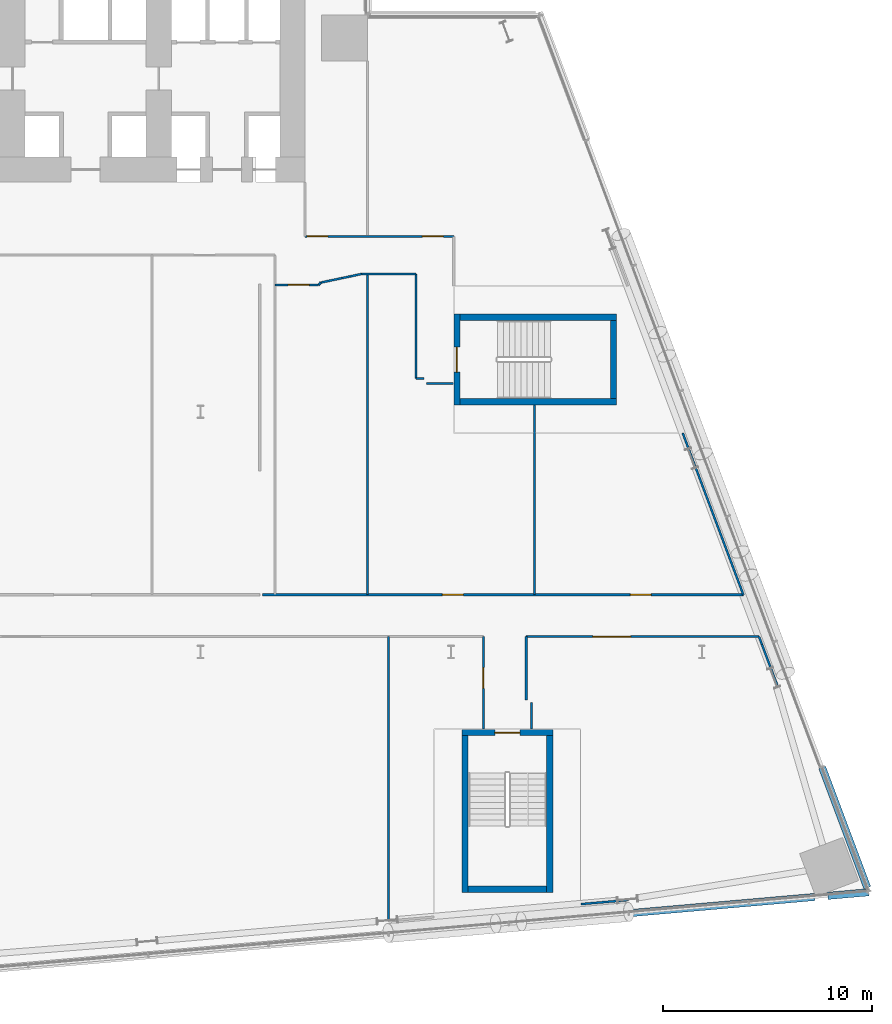
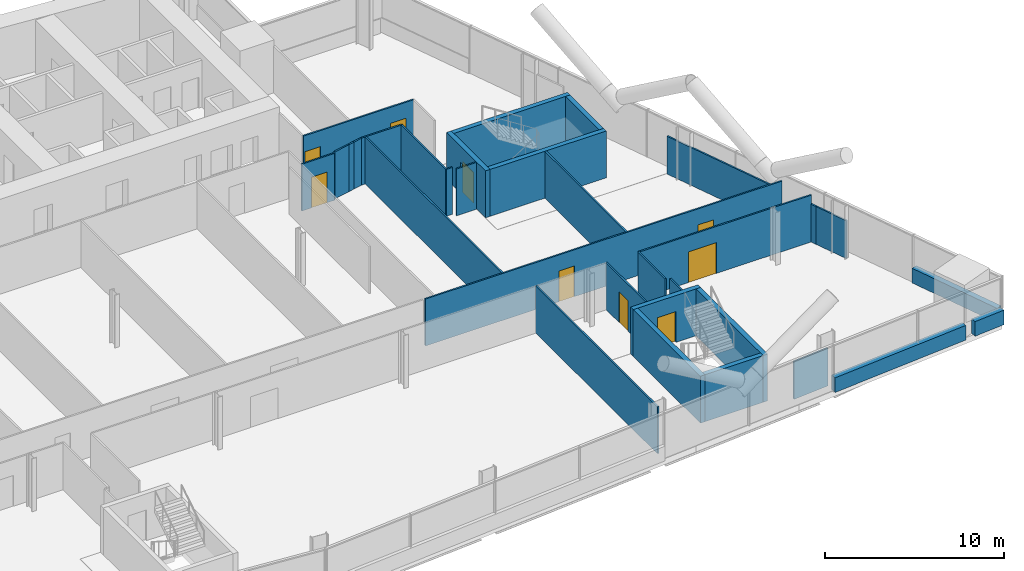
# One storey, part 19 of 27: 33 walls, 9 doors, 9 openings.
"""IFC4 building model written with IfcOpenShell, lengths in metres."""

from ifc_helpers import new_model, si_unit, direction, frame, frame_2d, origin, place, context, subcontext, project, spatial, rectangle, extrude, material, layer, layer_set, type_object, element, fill, save


model = new_model("IFC4")

# Units and contexts
model_context = context("Model", 3, precision=1e-05, world=origin(), true_north=direction((0.0, 1.0)))
body_context = subcontext(model_context, "Body", "Model", "MODEL_VIEW")
ifc_project = project(units=[si_unit("LENGTHUNIT", "METRE"), si_unit("AREAUNIT", "SQUARE_METRE"), si_unit("VOLUMEUNIT", "CUBIC_METRE"), si_unit("PLANEANGLEUNIT", "RADIAN"), si_unit("MASSUNIT", "GRAM", prefix="KILO")], contexts=[model_context])

# Site, building, storey
site_placement = place(None, origin())
site = spatial("IfcSite", under=ifc_project, at=site_placement, CompositionType="ELEMENT")
building_placement = place(site_placement, origin())
building = spatial("IfcBuilding", under=site, at=building_placement, Name="Wharfspan Tower", CompositionType="ELEMENT")
storey_placement = place(building_placement, frame((0.0, 0.0, 48.699951)))
storey = spatial("IfcBuildingStorey", under=building, at=storey_placement, Name="L08", CompositionType="ELEMENT", Elevation=48.699951)

# Wall, openings, doors
ifc_material_1 = material(Name="Gypsum board on steel studs", Category="steel")
ifc_layer_1 = layer(ifc_material_1, 0.100098)
ifc_layer_set_1 = layer_set([ifc_layer_1], Name="Gypsum board on steel studs")
wall_type_1 = type_object("IfcWallType", Name="Compartment wall 100 EI 60", PredefinedType="PARTITIONING", material=ifc_layer_set_1)
wall_1_placement = place(storey_placement, frame((62.97998, 14.23999, 0.0), z_axis=(0.0, 0.0, 1.0), x_axis=(1.0, 0.0, 0.0)))
wall_1 = element("IfcWall", 1, at=wall_1_placement, inside=storey, type_object=wall_type_1, Name="Partition L08.w047", PredefinedType="PARTITIONING", context=body_context, shape_type="SweptSolid", body=[
    extrude(rectangle(XDim=23.01001, YDim=0.100098, at=frame_2d((11.504883, 0.0))), origin(), (0.0, 0.0, 1.0), 3.199951),
])
opening_1_placement = place(wall_1_placement, frame((8.600098, 0.0, 0.0)))
opening_1 = element("IfcOpeningElement", 2, at=opening_1_placement, cuts=wall_1, Name="Opening A1-17", PredefinedType="OPENING", context=body_context, shape_type="SweptSolid", body=[
    extrude(rectangle(XDim=1.0, YDim=2.100098, at=frame_2d((0.5, 1.050049))), frame((0.0, 0.060059, 0.0), z_axis=(0.0, -1.0, 0.0), x_axis=(1.0, 0.0, 0.0)), (0.0, 0.0, 1.0), 0.120117),
])
opening_2_placement = place(wall_1_placement, frame((17.595459, 0.0, 0.0)))
opening_2 = element("IfcOpeningElement", 3, at=opening_2_placement, cuts=wall_1, Name="Opening A1-18", PredefinedType="OPENING", context=body_context, shape_type="SweptSolid", body=[
    extrude(rectangle(XDim=1.0, YDim=2.100098, at=frame_2d((0.5, 1.050049))), frame((0.0, 0.060059, 0.0), z_axis=(0.0, -1.0, 0.0), x_axis=(1.0, 0.0, 0.0)), (0.0, 0.0, 1.0), 0.120117),
])
ifc_material_2 = material(Name="Fire-rated timber door leaf in steel frame", Category="steel")
door_type_1 = type_object("IfcDoorType", Name="Door 1000 FD30S Left", OperationType="SINGLE_SWING_LEFT", PredefinedType="DOOR", material=ifc_material_2)
door_1_placement = place(opening_1_placement, origin())
door_1 = element("IfcDoor", 4, at=door_1_placement, inside=storey, type_object=door_type_1, Name="Door A1-17", OperationType="SINGLE_SWING_LEFT", OverallHeight=2.100098, OverallWidth=1.0, PredefinedType="DOOR", context=body_context, shape_type="SweptSolid", body=[
    extrude(rectangle(XDim=1.0, YDim=2.100098, at=frame_2d((0.5, 1.050049))), frame((0.0, 0.024902, 0.0), z_axis=(0.0, -1.0, 0.0), x_axis=(1.0, 0.0, 0.0)), (0.0, 0.0, 1.0), 0.050049),
])
fill(opening_1, door_1)
door_type_2 = type_object("IfcDoorType", Name="Door 1000 FD30S Right", OperationType="SINGLE_SWING_RIGHT", PredefinedType="DOOR", material=ifc_material_2)
door_2_placement = place(opening_2_placement, origin())
door_2 = element("IfcDoor", 5, at=door_2_placement, inside=storey, type_object=door_type_2, Name="Door A1-18", OperationType="SINGLE_SWING_RIGHT", OverallHeight=2.100098, OverallWidth=1.0, PredefinedType="DOOR", context=body_context, shape_type="SweptSolid", body=[
    extrude(rectangle(XDim=1.0, YDim=2.100098, at=frame_2d((0.5, 1.050049))), frame((0.0, 0.024902, 0.0), z_axis=(0.0, -1.0, 0.0), x_axis=(1.0, 0.0, 0.0)), (0.0, 0.0, 1.0), 0.050049),
])
fill(opening_2, door_2)

# Wall, opening, door
wall_2_placement = place(storey_placement, frame((63.574951, 29.074951, 0.0), z_axis=(0.0, 0.0, 1.0), x_axis=(1.0, 0.0, 0.0)))
wall_2 = element("IfcWall", 6, at=wall_2_placement, inside=storey, type_object=wall_type_1, Name="Partition L08.w049", PredefinedType="PARTITIONING", context=body_context, shape_type="SweptSolid", body=[
    extrude(rectangle(XDim=2.080078, YDim=0.100098, at=frame_2d((1.040039, 0.0))), origin(), (0.0, 0.0, 1.0), 3.199951),
])
opening_3_placement = place(wall_2_placement, frame((0.620117, 0.0, 0.0)))
opening_3 = element("IfcOpeningElement", 7, at=opening_3_placement, cuts=wall_2, Name="Opening A1-25", PredefinedType="OPENING", context=body_context, shape_type="SweptSolid", body=[
    extrude(rectangle(XDim=1.0, YDim=2.100098, at=frame_2d((0.5, 1.050049))), frame((0.0, 0.060059, 0.0), z_axis=(0.0, -1.0, 0.0), x_axis=(1.0, 0.0, 0.0)), (0.0, 0.0, 1.0), 0.120117),
])
door_3_placement = place(opening_3_placement, origin())
door_3 = element("IfcDoor", 8, at=door_3_placement, inside=storey, type_object=door_type_2, Name="Door A1-25", OperationType="SINGLE_SWING_RIGHT", OverallHeight=2.100098, OverallWidth=1.0, PredefinedType="DOOR", context=body_context, shape_type="SweptSolid", body=[
    extrude(rectangle(XDim=1.0, YDim=2.100098, at=frame_2d((0.5, 1.050049))), frame((0.0, 0.024902, 0.0), z_axis=(0.0, -1.0, 0.0), x_axis=(1.0, 0.0, 0.0)), (0.0, 0.0, 1.0), 0.050049),
])
fill(opening_3, door_3)

# Wall, openings, doors
wall_3_placement = place(storey_placement, frame((65.0, 31.399902, 0.0), z_axis=(0.0, 0.0, 1.0), x_axis=(1.0, 0.0, 0.0)))
wall_3 = element("IfcWall", 9, at=wall_3_placement, inside=storey, type_object=wall_type_1, Name="Partition L08.w051", PredefinedType="PARTITIONING", context=body_context, shape_type="SweptSolid", body=[
    extrude(rectangle(XDim=7.125, YDim=0.100098, at=frame_2d((3.5625, 0.0))), origin(), (0.0, 0.0, 1.0), 3.199951),
])
opening_4_placement = place(wall_3_placement, frame((0.100098, 0.0, 0.0)))
opening_4 = element("IfcOpeningElement", 10, at=opening_4_placement, cuts=wall_3, Name="Opening A1-30", PredefinedType="OPENING", context=body_context, shape_type="SweptSolid", body=[
    extrude(rectangle(XDim=1.0, YDim=2.100098, at=frame_2d((0.5, 1.050049))), frame((0.0, 0.060059, 0.0), z_axis=(0.0, -1.0, 0.0), x_axis=(1.0, 0.0, 0.0)), (0.0, 0.0, 1.0), 0.120117),
])
opening_5_placement = place(wall_3_placement, frame((5.625, 0.0, 0.0)))
opening_5 = element("IfcOpeningElement", 11, at=opening_5_placement, cuts=wall_3, Name="Opening A1-31", PredefinedType="OPENING", context=body_context, shape_type="SweptSolid", body=[
    extrude(rectangle(XDim=1.0, YDim=2.100098, at=frame_2d((0.5, 1.050049))), frame((0.0, 0.060059, 0.0), z_axis=(0.0, -1.0, 0.0), x_axis=(1.0, 0.0, 0.0)), (0.0, 0.0, 1.0), 0.120117),
])
door_4_placement = place(opening_4_placement, origin())
door_4 = element("IfcDoor", 12, at=door_4_placement, inside=storey, type_object=door_type_1, Name="Door A1-30", OperationType="SINGLE_SWING_LEFT", OverallHeight=2.100098, OverallWidth=1.0, PredefinedType="DOOR", context=body_context, shape_type="SweptSolid", body=[
    extrude(rectangle(XDim=1.0, YDim=2.100098, at=frame_2d((0.5, 1.050049))), frame((0.0, 0.024902, 0.0), z_axis=(0.0, -1.0, 0.0), x_axis=(1.0, 0.0, 0.0)), (0.0, 0.0, 1.0), 0.050049),
])
fill(opening_4, door_4)
door_5_placement = place(opening_5_placement, origin())
door_5 = element("IfcDoor", 13, at=door_5_placement, inside=storey, type_object=door_type_2, Name="Door A1-31", OperationType="SINGLE_SWING_RIGHT", OverallHeight=2.100098, OverallWidth=1.0, PredefinedType="DOOR", context=body_context, shape_type="SweptSolid", body=[
    extrude(rectangle(XDim=1.0, YDim=2.100098, at=frame_2d((0.5, 1.050049))), frame((0.0, 0.024902, 0.0), z_axis=(0.0, -1.0, 0.0), x_axis=(1.0, 0.0, 0.0)), (0.0, 0.0, 1.0), 0.050049),
])
fill(opening_5, door_5)

# Walls
wall_4_placement = place(storey_placement, frame((65.655029, 29.074951, 0.0), z_axis=(0.0, 0.0, 1.0), x_axis=(0.671773, 0.740757, 0.0)))
element("IfcWall", 14, at=wall_4_placement, inside=storey, type_object=wall_type_1, Name="Partition L08.w052", PredefinedType="PARTITIONING", context=body_context, shape_type="SweptSolid", body=[
    extrude(rectangle(XDim=0.148682, YDim=0.100098, at=frame_2d((0.074219, 0.0))), origin(), (0.0, 0.0, 1.0), 3.199951),
])
wall_5_placement = place(storey_placement, frame((65.754883, 29.185059, 0.0), z_axis=(0.0, 0.0, 1.0), x_axis=(0.978739, 0.205118, 0.0)))
element("IfcWall", 15, at=wall_5_placement, inside=storey, type_object=wall_type_1, Name="Partition L08.w053", PredefinedType="PARTITIONING", context=body_context, shape_type="SweptSolid", body=[
    extrude(rectangle(XDim=1.047363, YDim=0.100098, at=frame_2d((0.523682, 0.0))), origin(), (0.0, 0.0, 1.0), 3.199951),
])
wall_6_placement = place(storey_placement, frame((66.780029, 29.399902, 0.0), z_axis=(0.0, 0.0, 1.0), x_axis=(0.979048, 0.203632, 0.0)))
element("IfcWall", 16, at=wall_6_placement, inside=storey, type_object=wall_type_1, Name="Partition L08.w054", PredefinedType="PARTITIONING", context=body_context, shape_type="SweptSolid", body=[
    extrude(rectangle(XDim=0.393311, YDim=0.100098, at=frame_2d((0.196777, 0.0))), origin(), (0.0, 0.0, 1.0), 3.199951),
])
wall_7_placement = place(storey_placement, frame((67.165039, 29.47998, 0.0), z_axis=(0.0, 0.0, 1.0), x_axis=(0.977367, 0.211555, 0.0)))
element("IfcWall", 17, at=wall_7_placement, inside=storey, type_object=wall_type_1, Name="Partition L08.w055", PredefinedType="PARTITIONING", context=body_context, shape_type="SweptSolid", body=[
    extrude(rectangle(XDim=0.567871, YDim=0.100098, at=frame_2d((0.283936, 0.0))), origin(), (0.0, 0.0, 1.0), 3.199951),
])
wall_8_placement = place(storey_placement, frame((67.719971, 29.600098, 0.0), z_axis=(0.0, 0.0, 1.0), x_axis=(1.0, 0.0, 0.0)))
element("IfcWall", 18, at=wall_8_placement, inside=storey, type_object=wall_type_1, Name="Partition L08.w056", PredefinedType="PARTITIONING", context=body_context, shape_type="SweptSolid", body=[
    extrude(rectangle(XDim=2.60498, YDim=0.100098, at=frame_2d((1.30249, 0.0))), origin(), (0.0, 0.0, 1.0), 3.199951),
])
wall_9_placement = place(storey_placement, frame((68.0, 14.23999, 0.0), z_axis=(0.0, 0.0, 1.0), x_axis=(0.0, 1.0, 0.0)))
element("IfcWall", 19, at=wall_9_placement, inside=storey, type_object=wall_type_1, Name="Partition L08.w057", PredefinedType="PARTITIONING", context=body_context, shape_type="SweptSolid", body=[
    extrude(rectangle(XDim=15.360107, YDim=0.100098, at=frame_2d((7.680176, 0.0))), origin(), (0.0, 0.0, 1.0), 3.199951),
])
wall_10_placement = place(storey_placement, frame((69.0, -1.379883, 0.0), z_axis=(0.0, 0.0, 1.0), x_axis=(-0.000359, 1.000002, 0.0)))
element("IfcWall", 20, at=wall_10_placement, inside=storey, type_object=wall_type_1, Name="Partition L08.w059", PredefinedType="PARTITIONING", context=body_context, shape_type="SweptSolid", body=[
    extrude(rectangle(XDim=13.61499, YDim=0.100098, at=frame_2d((6.807617, 0.0))), origin(), (0.0, 0.0, 1.0), 3.199951),
])
wall_11_placement = place(storey_placement, frame((70.324951, 24.600098, 0.0), z_axis=(0.0, 0.0, 1.0), x_axis=(0.0, 1.0, 0.0)))
element("IfcWall", 21, at=wall_11_placement, inside=storey, type_object=wall_type_1, Name="Partition L08.w061", PredefinedType="PARTITIONING", context=body_context, shape_type="SweptSolid", body=[
    extrude(rectangle(XDim=5.0, YDim=0.100098, at=frame_2d((2.5, 0.0))), origin(), (0.0, 0.0, 1.0), 3.199951),
])
wall_12_placement = place(storey_placement, frame((70.324951, 24.600098, 0.0), z_axis=(0.0, 0.0, 1.0), x_axis=(1.0, 0.0, 0.0)))
element("IfcWall", 22, at=wall_12_placement, inside=storey, type_object=wall_type_1, Name="Partition L08.w062", PredefinedType="PARTITIONING", context=body_context, shape_type="SweptSolid", body=[
    extrude(rectangle(XDim=0.380127, YDim=0.100098, at=frame_2d((0.189941, 0.0))), origin(), (0.0, 0.0, 1.0), 3.199951),
])
wall_13_placement = place(storey_placement, frame((70.824951, 24.350098, 0.0), z_axis=(0.0, 0.0, 1.0), x_axis=(1.0, 0.0, 0.0)))
element("IfcWall", 23, at=wall_13_placement, inside=storey, type_object=wall_type_1, Name="Partition L08.w063", PredefinedType="PARTITIONING", context=body_context, shape_type="SweptSolid", body=[
    extrude(rectangle(XDim=1.280029, YDim=0.100098, at=frame_2d((0.640137, 0.0))), origin(), (0.0, 0.0, 1.0), 3.199951),
])

# Wall, opening, door
wall_14_placement = place(storey_placement, frame((73.540039, 7.812012, 0.0), z_axis=(0.0, 0.0, 1.0), x_axis=(0.0, 1.0, 0.0)))
wall_14 = element("IfcWall", 24, at=wall_14_placement, inside=storey, type_object=wall_type_1, Name="Partition L08.w065", PredefinedType="PARTITIONING", context=body_context, shape_type="SweptSolid", body=[
    extrude(rectangle(XDim=4.423096, YDim=0.100098, at=frame_2d((2.211426, 0.0))), origin(), (0.0, 0.0, 1.0), 3.199951),
])
opening_6_placement = place(wall_14_placement, frame((1.943115, 0.0, 0.0)))
opening_6 = element("IfcOpeningElement", 25, at=opening_6_placement, cuts=wall_14, Name="Opening A1-01", PredefinedType="OPENING", context=body_context, shape_type="SweptSolid", body=[
    extrude(rectangle(XDim=1.0, YDim=2.100098, at=frame_2d((0.5, 1.050049))), frame((0.0, 0.060059, 0.0), z_axis=(0.0, -1.0, 0.0), x_axis=(1.0, 0.0, 0.0)), (0.0, 0.0, 1.0), 0.120117),
])
door_6_placement = place(opening_6_placement, origin())
door_6 = element("IfcDoor", 26, at=door_6_placement, inside=storey, type_object=door_type_2, Name="Door A1-01", OperationType="SINGLE_SWING_RIGHT", OverallHeight=2.100098, OverallWidth=1.0, PredefinedType="DOOR", context=body_context, shape_type="SweptSolid", body=[
    extrude(rectangle(XDim=1.0, YDim=2.100098, at=frame_2d((0.5, 1.050049))), frame((0.0, 0.024902, 0.0), z_axis=(0.0, -1.0, 0.0), x_axis=(1.0, 0.0, 0.0)), (0.0, 0.0, 1.0), 0.050049),
])
fill(opening_6, door_6)

# Wall
wall_15_placement = place(storey_placement, frame((75.594971, 9.209961, 0.0), z_axis=(0.0, 0.0, 1.0), x_axis=(0.0, 1.0, 0.0)))
element("IfcWall", 27, at=wall_15_placement, inside=storey, type_object=wall_type_1, Name="Partition L08.w066", PredefinedType="PARTITIONING", context=body_context, shape_type="SweptSolid", body=[
    extrude(rectangle(XDim=3.02002, YDim=0.100098, at=frame_2d((1.51001, 0.0))), origin(), (0.0, 0.0, 1.0), 3.199951),
])

# Wall, opening, door
wall_16_placement = place(storey_placement, frame((75.594971, 12.235107, 0.0), z_axis=(0.0, 0.0, 1.0), x_axis=(1.0, 0.0, 0.0)))
wall_16 = element("IfcWall", 28, at=wall_16_placement, inside=storey, type_object=wall_type_1, Name="Partition L08.w067", PredefinedType="PARTITIONING", context=body_context, shape_type="SweptSolid", body=[
    extrude(rectangle(XDim=11.14502, YDim=0.100098, at=frame_2d((5.57251, 0.0))), origin(), (0.0, 0.0, 1.0), 3.199951),
])
opening_7_placement = place(wall_16_placement, frame((3.192383, 0.0, 0.0)))
opening_7 = element("IfcOpeningElement", 29, at=opening_7_placement, cuts=wall_16, Name="Opening A1-09", PredefinedType="OPENING", context=body_context, shape_type="SweptSolid", body=[
    extrude(rectangle(XDim=1.800049, YDim=2.100098, at=frame_2d((0.899902, 1.050049))), frame((0.0, 0.060059, 0.0), z_axis=(0.0, -1.0, 0.0), x_axis=(1.0, 0.0, 0.0)), (0.0, 0.0, 1.0), 0.120117),
])
door_type_3 = type_object("IfcDoorType", Name="Door 1800 FD30S Double", OperationType="DOUBLE_DOOR_SINGLE_SWING", PredefinedType="DOOR", material=ifc_material_2)
door_7_placement = place(opening_7_placement, origin())
door_7 = element("IfcDoor", 30, at=door_7_placement, inside=storey, type_object=door_type_3, Name="Door A1-09", OperationType="DOUBLE_DOOR_SINGLE_SWING", OverallHeight=2.100098, OverallWidth=1.800049, PredefinedType="DOOR", context=body_context, shape_type="SweptSolid", body=[
    extrude(rectangle(XDim=1.800049, YDim=2.100098, at=frame_2d((0.899902, 1.050049))), frame((0.0, 0.024902, 0.0), z_axis=(0.0, -1.0, 0.0), x_axis=(1.0, 0.0, 0.0)), (0.0, 0.0, 1.0), 0.050049),
])
fill(opening_7, door_7)

# Walls
wall_17_placement = place(storey_placement, frame((75.844971, 7.812012, 0.0), z_axis=(0.0, 0.0, 1.0), x_axis=(0.0, 1.0, 0.0)))
element("IfcWall", 31, at=wall_17_placement, inside=storey, type_object=wall_type_1, Name="Partition L08.w068", PredefinedType="PARTITIONING", context=body_context, shape_type="SweptSolid", body=[
    extrude(rectangle(XDim=1.278076, YDim=0.100098, at=frame_2d((0.63916, 0.0))), origin(), (0.0, 0.0, 1.0), 3.199951),
])
wall_18_placement = place(storey_placement, frame((76.0, 14.23999, 0.0), z_axis=(0.0, 0.0, 1.0), x_axis=(0.0, 1.0, 0.0)))
element("IfcWall", 32, at=wall_18_placement, inside=storey, type_object=wall_type_1, Name="Partition L08.w069", PredefinedType="PARTITIONING", context=body_context, shape_type="SweptSolid", body=[
    extrude(rectangle(XDim=9.084961, YDim=0.100098, at=frame_2d((4.54248, 0.0))), origin(), (0.0, 0.0, 1.0), 3.199951),
])
wall_19_placement = place(storey_placement, frame((85.98999, 14.23999, 0.0), z_axis=(0.0, 0.0, 1.0), x_axis=(-0.351133, 0.936325, 0.0)))
element("IfcWall", 33, at=wall_19_placement, inside=storey, type_object=wall_type_1, Name="Partition L08.w073", PredefinedType="PARTITIONING", context=body_context, shape_type="SweptSolid", body=[
    extrude(rectangle(XDim=8.266357, YDim=0.100098, at=frame_2d((4.133301, 0.0))), origin(), (0.0, 0.0, 1.0), 2.580078),
])
wall_20_placement = place(storey_placement, frame((86.879883, 11.85498, 0.0), z_axis=(0.0, 0.0, 1.0), x_axis=(-0.34537, 0.938466, 0.0)))
element("IfcWall", 34, at=wall_20_placement, inside=storey, type_object=wall_type_1, Name="Partition L08.w074", PredefinedType="PARTITIONING", context=body_context, shape_type="SweptSolid", body=[
    extrude(rectangle(XDim=0.405029, YDim=0.100098, at=frame_2d((0.202637, 0.0))), origin(), (0.0, 0.0, 1.0), 2.580078),
])
ifc_layer_2 = layer(ifc_material_1, 0.100098)
ifc_layer_set_2 = layer_set([ifc_layer_2], Name="Gypsum board on steel studs")
wall_type_2 = type_object("IfcWallType", Name="Partition 100", PredefinedType="PARTITIONING", material=ifc_layer_set_2)
wall_21_placement = place(storey_placement, frame((78.212402, -0.572998, 0.0), z_axis=(0.0, 0.0, 1.0), x_axis=(0.996271, 0.08623, 0.0)))
element("IfcWall", 35, at=wall_21_placement, inside=storey, type_object=wall_type_2, Name="Partition L08.w070", PredefinedType="PARTITIONING", context=body_context, shape_type="SweptSolid", body=[
    extrude(rectangle(XDim=2.296143, YDim=0.100098, at=frame_2d((1.147949, 0.0))), origin(), (0.0, 0.0, 1.0), 2.580078),
])
wall_22_placement = place(storey_placement, frame((87.649902, 9.810059, 0.0), z_axis=(0.0, 0.0, 1.0), x_axis=(-0.352397, 0.935852, 0.0)))
element("IfcWall", 36, at=wall_22_placement, inside=storey, type_object=wall_type_2, Name="Partition L08.w075", PredefinedType="PARTITIONING", context=body_context, shape_type="SweptSolid", body=[
    extrude(rectangle(XDim=2.185059, YDim=0.100098, at=frame_2d((1.092529, 0.0))), origin(), (0.0, 0.0, 1.0), 2.580078),
])
ifc_material_3 = material(Name="Concrete C40/50", Category="concrete")
ifc_layer_3 = layer(ifc_material_3, 0.350098)
ifc_layer_set_3 = layer_set([ifc_layer_3], Name="Concrete C40/50")
wall_type_3 = type_object("IfcWallType", Name="SPANDREL EXPOSED CONCRETE 350", PredefinedType="SOLIDWALL", material=ifc_layer_set_3)
wall_23_placement = place(storey_placement, frame((80.530273, -1.008545, 0.0), z_axis=(0.0, 0.0, 1.0), x_axis=(0.996198, 0.087169, 0.0)))
element("IfcWall", 37, at=wall_23_placement, inside=storey, type_object=wall_type_3, Name="Spandrel upstand L08 S2 2", PredefinedType="SOLIDWALL", context=body_context, shape_type="SweptSolid", body=[
    extrude(rectangle(XDim=8.912109, YDim=0.350098, at=frame_2d((4.456055, 0.0))), origin(), (0.0, 0.0, 1.0), 1.0),
])
wall_24_placement = place(storey_placement, frame((90.039062, -0.176514, 0.0), z_axis=(0.0, 0.0, 1.0), x_axis=(0.996193, 0.08717, 0.0)))
element("IfcWall", 38, at=wall_24_placement, inside=storey, type_object=wall_type_3, Name="Spandrel upstand L08 S2 3", PredefinedType="SOLIDWALL", context=body_context, shape_type="SweptSolid", body=[
    extrude(rectangle(XDim=1.968994, YDim=0.350098, at=frame_2d((0.984375, 0.0))), origin(), (0.0, 0.0, 1.0), 1.0),
])
wall_25_placement = place(storey_placement, frame((91.926025, 0.211182, 0.0), z_axis=(0.0, 0.0, 1.0), x_axis=(-0.351118, 0.936328, 0.0)))
element("IfcWall", 39, at=wall_25_placement, inside=storey, type_object=wall_type_3, Name="Spandrel upstand L08 E 1", PredefinedType="SOLIDWALL", context=body_context, shape_type="SweptSolid", body=[
    extrude(rectangle(XDim=6.154297, YDim=0.350098, at=frame_2d((3.077148, 0.0))), origin(), (0.0, 0.0, 1.0), 1.0),
])

# Wall, opening, door
ifc_layer_4 = layer(ifc_material_3, 0.300049)
ifc_layer_set_4 = layer_set([ifc_layer_4], Name="Concrete C40/50")
wall_type_4 = type_object("IfcWallType", Name="Stair core wall 300", PredefinedType="SHEAR", material=ifc_layer_set_4)
wall_26_placement = place(storey_placement, frame((72.517578, 7.64209, 0.0), z_axis=(0.0, 0.0, 1.0), x_axis=(1.0, 0.0, 0.0)))
wall_26 = element("IfcWall", 40, at=wall_26_placement, inside=storey, type_object=wall_type_4, Name="ST5 stair enclosure wall L08", PredefinedType="SHEAR", context=body_context, shape_type="SweptSolid", body=[
    extrude(rectangle(XDim=4.349854, YDim=0.300049, at=frame_2d((2.174805, 0.0))), origin(), (0.0, 0.0, 1.0), 3.199951),
])
opening_8_placement = place(wall_26_placement, frame((1.574951, 0.0, 0.0)))
opening_8 = element("IfcOpeningElement", 41, at=opening_8_placement, cuts=wall_26, Name="Opening SD5.L08", PredefinedType="OPENING", context=body_context, shape_type="SweptSolid", body=[
    extrude(rectangle(XDim=1.199951, YDim=2.100098, at=frame_2d((0.600098, 1.050049))), frame((0.0, 0.159912, 0.0), z_axis=(0.0, -1.0, 0.0), x_axis=(1.0, 0.0, 0.0)), (0.0, 0.0, 1.0), 0.320068),
])
ifc_material_4 = material(Name="Steel door leaf", Category="steel")
door_type_4 = type_object("IfcDoorType", Name="Stair door 1200x2100", OperationType="SINGLE_SWING_LEFT", PredefinedType="DOOR", material=ifc_material_4)
door_8_placement = place(opening_8_placement, origin())
door_8 = element("IfcDoor", 42, at=door_8_placement, inside=storey, type_object=door_type_4, Name="sd:L08:ST5z1", OperationType="SINGLE_SWING_RIGHT", OverallHeight=2.100098, OverallWidth=1.199951, PredefinedType="DOOR", context=body_context, shape_type="SweptSolid", body=[
    extrude(rectangle(XDim=1.199951, YDim=2.100098, at=frame_2d((0.600098, 1.050049))), frame((0.0, 0.024902, 0.0), z_axis=(0.0, -1.0, 0.0), x_axis=(1.0, 0.0, 0.0)), (0.0, 0.0, 1.0), 0.050049),
])
fill(opening_8, door_8)

wall_27_placement = place(storey_placement, frame((72.274902, 23.324951, 0.0), z_axis=(0.0, 0.0, 1.0), x_axis=(0.0, 1.0, 0.0)))
wall_27 = element("IfcWall", 43, at=wall_27_placement, inside=storey, type_object=wall_type_4, Name="ST6 stair enclosure wall L08", PredefinedType="SHEAR", context=body_context, shape_type="SweptSolid", body=[
    extrude(rectangle(XDim=4.350098, YDim=0.300049, at=frame_2d((2.175049, 0.0))), origin(), (0.0, 0.0, 1.0), 3.199951),
])
opening_9_placement = place(wall_27_placement, frame((1.574951, 0.0, 0.0)))
opening_9 = element("IfcOpeningElement", 44, at=opening_9_placement, cuts=wall_27, Name="Opening SD6.L08", PredefinedType="OPENING", context=body_context, shape_type="SweptSolid", body=[
    extrude(rectangle(XDim=1.199951, YDim=2.100098, at=frame_2d((0.600098, 1.050049))), frame((0.0, 0.159912, 0.0), z_axis=(0.0, -1.0, 0.0), x_axis=(1.0, 0.0, 0.0)), (0.0, 0.0, 1.0), 0.320068),
])
door_9_placement = place(opening_9_placement, origin())
door_9 = element("IfcDoor", 45, at=door_9_placement, inside=storey, type_object=door_type_4, Name="sd:L08:ST6z1", OperationType="SINGLE_SWING_RIGHT", OverallHeight=2.100098, OverallWidth=1.199951, PredefinedType="DOOR", context=body_context, shape_type="SweptSolid", body=[
    extrude(rectangle(XDim=1.199951, YDim=2.100098, at=frame_2d((0.600098, 1.050049))), frame((0.0, 0.024902, 0.0), z_axis=(0.0, -1.0, 0.0), x_axis=(1.0, 0.0, 0.0)), (0.0, 0.0, 1.0), 0.050049),
])
fill(opening_9, door_9)

# Walls
for number, where, z_axis, x_axis, name in (
    (46, (72.66748, -0.008057, 0.0), (0.0, 0.0, 1.0), (0.0, 1.0, 0.0), "ST5 stair enclosure wall L08"),
    (47, (76.717529, -0.008057, 0.0), (0.0, 0.0, 1.0), (0.0, 1.0, 0.0), "ST5 stair enclosure wall L08"),
):
    element("IfcWall", number, at=place(storey_placement, frame(where, z_axis=z_axis, x_axis=x_axis)), inside=storey, type_object=wall_type_4, Name=name, PredefinedType="SHEAR", context=body_context, shape_type="SweptSolid", body=[
        extrude(rectangle(XDim=7.5, YDim=0.300049, at=frame_2d((3.75, 0.0))), origin(), (0.0, 0.0, 1.0), 3.199951),
    ])
wall_28_placement = place(storey_placement, frame((72.817383, 0.14209, 0.0), z_axis=(0.0, 0.0, 1.0), x_axis=(1.0, 0.0, 0.0)))
element("IfcWall", 48, at=wall_28_placement, inside=storey, type_object=wall_type_4, Name="ST5 stair enclosure wall L08", PredefinedType="SHEAR", context=body_context, shape_type="SweptSolid", body=[
    extrude(rectangle(XDim=3.75, YDim=0.300049, at=frame_2d((1.875, 0.0))), origin(), (0.0, 0.0, 1.0), 3.199951),
])
for number, where, z_axis, x_axis, name in (
    (49, (72.425049, 23.475098, 0.0), (0.0, 0.0, 1.0), (1.0, 0.0, 0.0), "ST6 stair enclosure wall L08"),
    (50, (72.425049, 27.524902, 0.0), (0.0, 0.0, 1.0), (1.0, 0.0, 0.0), "ST6 stair enclosure wall L08"),
):
    element("IfcWall", number, at=place(storey_placement, frame(where, z_axis=z_axis, x_axis=x_axis)), inside=storey, type_object=wall_type_4, Name=name, PredefinedType="SHEAR", context=body_context, shape_type="SweptSolid", body=[
        extrude(rectangle(XDim=7.5, YDim=0.300049, at=frame_2d((3.75, 0.0))), origin(), (0.0, 0.0, 1.0), 3.199951),
    ])
wall_29_placement = place(storey_placement, frame((79.774902, 23.625, 0.0), z_axis=(0.0, 0.0, 1.0), x_axis=(0.0, 1.0, 0.0)))
element("IfcWall", 51, at=wall_29_placement, inside=storey, type_object=wall_type_4, Name="ST6 stair enclosure wall L08", PredefinedType="SHEAR", context=body_context, shape_type="SweptSolid", body=[
    extrude(rectangle(XDim=3.75, YDim=0.300049, at=frame_2d((1.875, 0.0))), origin(), (0.0, 0.0, 1.0), 3.199951),
])

save(model, "model.ifc")
